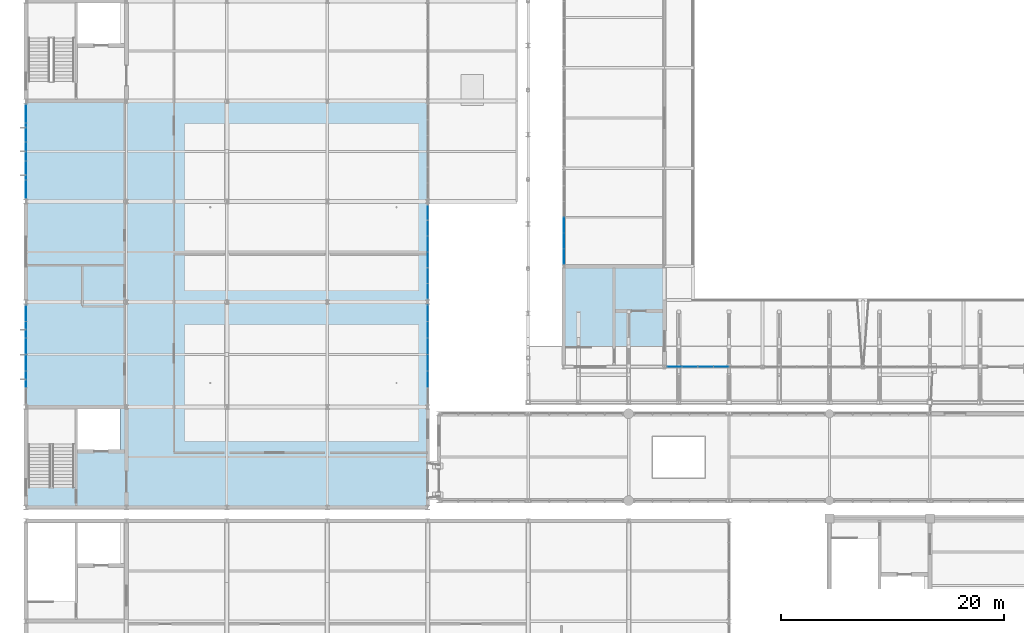
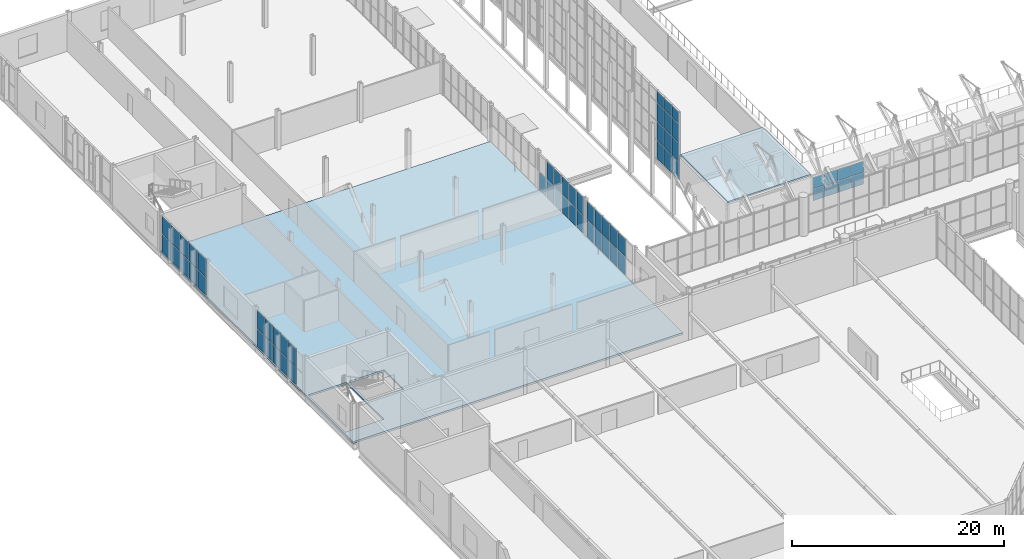
# One storey, part 94 of 134: 61 plates, 2 slabs, 6 elements without a shape of their own.
"""IFC4 building model written with IfcOpenShell, lengths in metres."""

from ifc_helpers import new_model, si_unit, direction, frame, origin, origin_2d, place, context, subcontext, project, spatial, polyline, rectangle, outline, extrude, material, layer, layer_set, type_object, element, aggregate, save


model = new_model("IFC4")

# Units and contexts
model_context = context("Model", 3, precision=1e-05, world=origin(), true_north=direction((0.0, 1.0)))
body_context = subcontext(model_context, "Body", "Model", "MODEL_VIEW")
ifc_project = project(units=[si_unit("LENGTHUNIT", "METRE"), si_unit("AREAUNIT", "SQUARE_METRE"), si_unit("VOLUMEUNIT", "CUBIC_METRE"), si_unit("PLANEANGLEUNIT", "RADIAN"), si_unit("MASSUNIT", "GRAM", prefix="KILO")], contexts=[model_context])

# Site, building, storey
site_placement = place(None, origin())
site = spatial("IfcSite", under=ifc_project, at=site_placement, CompositionType="ELEMENT")
building_placement = place(site_placement, origin())
building = spatial("IfcBuilding", under=site, at=building_placement, Name="Cazmaro Siding Exhibition Halls", CompositionType="ELEMENT")
storey_placement = place(building_placement, frame((0.0, 0.0, 12.0)))
storey = spatial("IfcBuildingStorey", under=building, at=storey_placement, Name="L02", CompositionType="ELEMENT", Elevation=12.0)

# Curtain wall, plates
ifc_material_1 = material(Name="Anodized Bronze Aluminum and Solar-Control Low-E Glazing", Category="aluminium")
ifc_layer_1 = layer(ifc_material_1, 0.179931640625)
ifc_layer_set_1 = layer_set([ifc_layer_1], Name="Anodized Bronze Aluminum and Solar-Control Low-E Glazing")
curtain_wall_type_1 = type_object("IfcCurtainWallType", Name="CWS-01", PredefinedType="USERDEFINED", material=ifc_layer_set_1)
curtain_wall_1_placement = place(storey_placement, origin())
curtain_wall_1 = element("IfcCurtainWall", 1, at=curtain_wall_1_placement, inside=storey, type_object=curtain_wall_type_1, Name="Glazed Curtain Wall CWS-01 CW-237", ObjectType="GLAZED CURTAIN WALL", PredefinedType="USERDEFINED")
ifc_material_2 = material(Name="Solar-Control Low-E Double Insulating Glass", Category="glass")
ifc_layer_2 = layer(ifc_material_2, 0.02392578125)
ifc_layer_set_2 = layer_set([ifc_layer_2], Name="Solar-Control Low-E Double Insulating Glass")
plate_type_1 = type_object("IfcPlateType", Name="CWP-01", PredefinedType="CURTAIN_PANEL", material=ifc_layer_set_2)
plate_1_placement = place(storey_placement, frame((36.0, 66.072509765625, 0.06005859375), z_axis=(0.0, 0.0, 1.0), x_axis=(0.0, 1.0, 0.0)))
plate_1 = element("IfcPlate", 2, at=plate_1_placement, type_object=plate_type_1, Name="CWS-01 panel 2.1", PredefinedType="CURTAIN_PANEL", context=body_context, shape_type="SweptSolid", body=[
    extrude(rectangle(XDim=1.425048828125, YDim=0.02392578125, at=origin_2d()), origin(), (0.0, 0.0, 1.0), 2.050048828125),
])
plate_2_placement = place(storey_placement, frame((36.0, 66.072509765625, 2.169921875), z_axis=(0.0, 0.0, 1.0), x_axis=(0.0, 1.0, 0.0)))
plate_2 = element("IfcPlate", 3, at=plate_2_placement, type_object=plate_type_1, Name="CWS-01 panel 2.2", PredefinedType="CURTAIN_PANEL", context=body_context, shape_type="SweptSolid", body=[
    extrude(rectangle(XDim=1.425048828125, YDim=0.02392578125, at=origin_2d()), origin(), (0.0, 0.0, 1.0), 2.050048828125),
])
plate_3_placement = place(storey_placement, frame((36.0, 67.5576171875, 0.06005859375), z_axis=(0.0, 0.0, 1.0), x_axis=(0.0, 1.0, 0.0)))
plate_3 = element("IfcPlate", 4, at=plate_3_placement, type_object=plate_type_1, Name="CWS-01 panel 3.1", PredefinedType="CURTAIN_PANEL", context=body_context, shape_type="SweptSolid", body=[
    extrude(rectangle(XDim=1.425048828125, YDim=0.02392578125, at=origin_2d()), origin(), (0.0, 0.0, 1.0), 2.050048828125),
])
plate_4_placement = place(storey_placement, frame((36.0, 67.5576171875, 2.169921875), z_axis=(0.0, 0.0, 1.0), x_axis=(0.0, 1.0, 0.0)))
plate_4 = element("IfcPlate", 5, at=plate_4_placement, type_object=plate_type_1, Name="CWS-01 panel 3.2", PredefinedType="CURTAIN_PANEL", context=body_context, shape_type="SweptSolid", body=[
    extrude(rectangle(XDim=1.425048828125, YDim=0.02392578125, at=origin_2d()), origin(), (0.0, 0.0, 1.0), 2.050048828125),
])
plate_5_placement = place(storey_placement, frame((36.0, 69.04248046875, 0.06005859375), z_axis=(0.0, 0.0, 1.0), x_axis=(0.0, 1.0, 0.0)))
plate_5 = element("IfcPlate", 6, at=plate_5_placement, type_object=plate_type_1, Name="CWS-01 panel 4.1", PredefinedType="CURTAIN_PANEL", context=body_context, shape_type="SweptSolid", body=[
    extrude(rectangle(XDim=1.425048828125, YDim=0.02392578125, at=origin_2d()), origin(), (0.0, 0.0, 1.0), 2.050048828125),
])
plate_6_placement = place(storey_placement, frame((36.0, 69.04248046875, 2.169921875), z_axis=(0.0, 0.0, 1.0), x_axis=(0.0, 1.0, 0.0)))
plate_6 = element("IfcPlate", 7, at=plate_6_placement, type_object=plate_type_1, Name="CWS-01 panel 4.2", PredefinedType="CURTAIN_PANEL", context=body_context, shape_type="SweptSolid", body=[
    extrude(rectangle(XDim=1.425048828125, YDim=0.02392578125, at=origin_2d()), origin(), (0.0, 0.0, 1.0), 2.050048828125),
])
plate_7_placement = place(storey_placement, frame((36.0, 70.527587890625, 0.06005859375), z_axis=(0.0, 0.0, 1.0), x_axis=(0.0, 1.0, 0.0)))
plate_7 = element("IfcPlate", 8, at=plate_7_placement, type_object=plate_type_1, Name="CWS-01 panel 5.1", PredefinedType="CURTAIN_PANEL", context=body_context, shape_type="SweptSolid", body=[
    extrude(rectangle(XDim=1.425048828125, YDim=0.02392578125, at=origin_2d()), origin(), (0.0, 0.0, 1.0), 2.050048828125),
])
plate_8_placement = place(storey_placement, frame((36.0, 70.527587890625, 2.169921875), z_axis=(0.0, 0.0, 1.0), x_axis=(0.0, 1.0, 0.0)))
plate_8 = element("IfcPlate", 9, at=plate_8_placement, type_object=plate_type_1, Name="CWS-01 panel 5.2", PredefinedType="CURTAIN_PANEL", context=body_context, shape_type="SweptSolid", body=[
    extrude(rectangle(XDim=1.425048828125, YDim=0.02392578125, at=origin_2d()), origin(), (0.0, 0.0, 1.0), 2.050048828125),
])
plate_9_placement = place(storey_placement, frame((36.0, 71.99755859375, 0.06005859375), z_axis=(0.0, 0.0, 1.0), x_axis=(0.0, 1.0, 0.0)))
plate_9 = element("IfcPlate", 10, at=plate_9_placement, type_object=plate_type_1, Name="CWS-01 panel 6.1", PredefinedType="CURTAIN_PANEL", context=body_context, shape_type="SweptSolid", body=[
    extrude(rectangle(XDim=1.39501953125, YDim=0.02392578125, at=origin_2d()), origin(), (0.0, 0.0, 1.0), 2.050048828125),
])
plate_10_placement = place(storey_placement, frame((36.0, 71.99755859375, 2.169921875), z_axis=(0.0, 0.0, 1.0), x_axis=(0.0, 1.0, 0.0)))
plate_10 = element("IfcPlate", 11, at=plate_10_placement, type_object=plate_type_1, Name="CWS-01 panel 6.2", PredefinedType="CURTAIN_PANEL", context=body_context, shape_type="SweptSolid", body=[
    extrude(rectangle(XDim=1.39501953125, YDim=0.02392578125, at=origin_2d()), origin(), (0.0, 0.0, 1.0), 2.050048828125),
])
aggregate(curtain_wall_1, [plate_1, plate_2, plate_3, plate_4, plate_5, plate_6, plate_7, plate_8, plate_9, plate_10])

curtain_wall_2_placement = place(storey_placement, origin())
curtain_wall_2 = element("IfcCurtainWall", 12, at=curtain_wall_2_placement, inside=storey, type_object=curtain_wall_type_1, Name="Glazed Curtain Wall CWS-01 CW-238", ObjectType="GLAZED CURTAIN WALL", PredefinedType="USERDEFINED")
plate_11_placement = place(storey_placement, frame((36.0, 73.96923828125, 0.06005859375), z_axis=(0.0, 0.0, 1.0), x_axis=(0.0, 1.0, 0.0)))
plate_11 = element("IfcPlate", 13, at=plate_11_placement, type_object=plate_type_1, Name="CWS-01 panel 1.1", PredefinedType="CURTAIN_PANEL", context=body_context, shape_type="SweptSolid", body=[
    extrude(rectangle(XDim=1.328369140625, YDim=0.02392578125, at=origin_2d()), origin(), (0.0, 0.0, 1.0), 2.050048828125),
])
plate_12_placement = place(storey_placement, frame((36.0, 73.96923828125, 2.169921875), z_axis=(0.0, 0.0, 1.0), x_axis=(0.0, 1.0, 0.0)))
plate_12 = element("IfcPlate", 14, at=plate_12_placement, type_object=plate_type_1, Name="CWS-01 panel 1.2", PredefinedType="CURTAIN_PANEL", context=body_context, shape_type="SweptSolid", body=[
    extrude(rectangle(XDim=1.328369140625, YDim=0.02392578125, at=origin_2d()), origin(), (0.0, 0.0, 1.0), 2.050048828125),
])
plate_13_placement = place(storey_placement, frame((36.0, 75.37255859375, 0.06005859375), z_axis=(0.0, 0.0, 1.0), x_axis=(0.0, 1.0, 0.0)))
plate_13 = element("IfcPlate", 15, at=plate_13_placement, type_object=plate_type_1, Name="CWS-01 panel 2.1", PredefinedType="CURTAIN_PANEL", context=body_context, shape_type="SweptSolid", body=[
    extrude(rectangle(XDim=1.3583984375, YDim=0.02392578125, at=origin_2d()), origin(), (0.0, 0.0, 1.0), 2.050048828125),
])
plate_14_placement = place(storey_placement, frame((36.0, 75.37255859375, 2.169921875), z_axis=(0.0, 0.0, 1.0), x_axis=(0.0, 1.0, 0.0)))
plate_14 = element("IfcPlate", 16, at=plate_14_placement, type_object=plate_type_1, Name="CWS-01 panel 2.2", PredefinedType="CURTAIN_PANEL", context=body_context, shape_type="SweptSolid", body=[
    extrude(rectangle(XDim=1.3583984375, YDim=0.02392578125, at=origin_2d()), origin(), (0.0, 0.0, 1.0), 2.050048828125),
])
plate_15_placement = place(storey_placement, frame((36.0, 76.790771484375, 0.06005859375), z_axis=(0.0, 0.0, 1.0), x_axis=(0.0, 1.0, 0.0)))
plate_15 = element("IfcPlate", 17, at=plate_15_placement, type_object=plate_type_1, Name="CWS-01 panel 3.1", PredefinedType="CURTAIN_PANEL", context=body_context, shape_type="SweptSolid", body=[
    extrude(rectangle(XDim=1.3583984375, YDim=0.02392578125, at=origin_2d()), origin(), (0.0, 0.0, 1.0), 2.050048828125),
])
plate_16_placement = place(storey_placement, frame((36.0, 76.790771484375, 2.169921875), z_axis=(0.0, 0.0, 1.0), x_axis=(0.0, 1.0, 0.0)))
plate_16 = element("IfcPlate", 18, at=plate_16_placement, type_object=plate_type_1, Name="CWS-01 panel 3.2", PredefinedType="CURTAIN_PANEL", context=body_context, shape_type="SweptSolid", body=[
    extrude(rectangle(XDim=1.3583984375, YDim=0.02392578125, at=origin_2d()), origin(), (0.0, 0.0, 1.0), 2.050048828125),
])
plate_17_placement = place(storey_placement, frame((36.0, 78.209228515625, 0.06005859375), z_axis=(0.0, 0.0, 1.0), x_axis=(0.0, 1.0, 0.0)))
plate_17 = element("IfcPlate", 19, at=plate_17_placement, type_object=plate_type_1, Name="CWS-01 panel 4.1", PredefinedType="CURTAIN_PANEL", context=body_context, shape_type="SweptSolid", body=[
    extrude(rectangle(XDim=1.3583984375, YDim=0.02392578125, at=origin_2d()), origin(), (0.0, 0.0, 1.0), 2.050048828125),
])
plate_18_placement = place(storey_placement, frame((36.0, 78.209228515625, 2.169921875), z_axis=(0.0, 0.0, 1.0), x_axis=(0.0, 1.0, 0.0)))
plate_18 = element("IfcPlate", 20, at=plate_18_placement, type_object=plate_type_1, Name="CWS-01 panel 4.2", PredefinedType="CURTAIN_PANEL", context=body_context, shape_type="SweptSolid", body=[
    extrude(rectangle(XDim=1.3583984375, YDim=0.02392578125, at=origin_2d()), origin(), (0.0, 0.0, 1.0), 2.050048828125),
])
plate_19_placement = place(storey_placement, frame((36.0, 79.62744140625, 0.06005859375), z_axis=(0.0, 0.0, 1.0), x_axis=(0.0, 1.0, 0.0)))
plate_19 = element("IfcPlate", 21, at=plate_19_placement, type_object=plate_type_1, Name="CWS-01 panel 5.1", PredefinedType="CURTAIN_PANEL", context=body_context, shape_type="SweptSolid", body=[
    extrude(rectangle(XDim=1.3583984375, YDim=0.02392578125, at=origin_2d()), origin(), (0.0, 0.0, 1.0), 2.050048828125),
])
plate_20_placement = place(storey_placement, frame((36.0, 79.62744140625, 2.169921875), z_axis=(0.0, 0.0, 1.0), x_axis=(0.0, 1.0, 0.0)))
plate_20 = element("IfcPlate", 22, at=plate_20_placement, type_object=plate_type_1, Name="CWS-01 panel 5.2", PredefinedType="CURTAIN_PANEL", context=body_context, shape_type="SweptSolid", body=[
    extrude(rectangle(XDim=1.3583984375, YDim=0.02392578125, at=origin_2d()), origin(), (0.0, 0.0, 1.0), 2.050048828125),
])
plate_21_placement = place(storey_placement, frame((36.0, 81.03076171875, 0.06005859375), z_axis=(0.0, 0.0, 1.0), x_axis=(0.0, 1.0, 0.0)))
plate_21 = element("IfcPlate", 23, at=plate_21_placement, type_object=plate_type_1, Name="CWS-01 panel 6.1", PredefinedType="CURTAIN_PANEL", context=body_context, shape_type="SweptSolid", body=[
    extrude(rectangle(XDim=1.328369140625, YDim=0.02392578125, at=origin_2d()), origin(), (0.0, 0.0, 1.0), 2.050048828125),
])
aggregate(curtain_wall_2, [plate_11, plate_12, plate_13, plate_14, plate_15, plate_16, plate_17, plate_18, plate_19, plate_20, plate_21])

ifc_material_3 = material(Name="Anodized Bronze Aluminum and Solar-Control Low-E Glazing", Category="aluminium")
ifc_layer_3 = layer(ifc_material_3, 0.199951171875)
ifc_layer_set_3 = layer_set([ifc_layer_3], Name="Anodized Bronze Aluminum and Solar-Control Low-E Glazing")
curtain_wall_type_2 = type_object("IfcCurtainWallType", Name="CWS-02", PredefinedType="USERDEFINED", material=ifc_layer_set_3)
curtain_wall_3_placement = place(storey_placement, origin())
curtain_wall_3 = element("IfcCurtainWall", 24, at=curtain_wall_3_placement, inside=storey, type_object=curtain_wall_type_2, Name="Glazed Curtain Wall CWS-02 CW-236", ObjectType="GLAZED CURTAIN WALL", PredefinedType="USERDEFINED")
ifc_material_4 = material(Name="Solar-Control Low-E Double Insulating Glass", Category="glass")
ifc_layer_4 = layer(ifc_material_4, 0.035888671875)
ifc_layer_set_4 = layer_set([ifc_layer_4], Name="Solar-Control Low-E Double Insulating Glass")
plate_type_2 = type_object("IfcPlateType", Name="CWP-02", PredefinedType="CURTAIN_PANEL", material=ifc_layer_set_4)
plate_22_placement = place(storey_placement, frame((0.0, 71.996337890625, 0.06494140625), z_axis=(0.0, 0.0, 1.0), x_axis=(0.0, -1.0, 0.0)))
plate_22 = element("IfcPlate", 25, at=plate_22_placement, type_object=plate_type_2, Name="CWS-02 panel 1.1", PredefinedType="CURTAIN_PANEL", context=body_context, shape_type="SweptSolid", body=[
    extrude(rectangle(XDim=1.387451171875, YDim=0.035888671875, at=origin_2d()), origin(), (0.0, 0.0, 1.0), 2.04248046875),
])
plate_23_placement = place(storey_placement, frame((0.0, 71.996337890625, 2.172607421875), z_axis=(0.0, 0.0, 1.0), x_axis=(0.0, -1.0, 0.0)))
plate_23 = element("IfcPlate", 26, at=plate_23_placement, type_object=plate_type_2, Name="CWS-02 panel 1.2", PredefinedType="CURTAIN_PANEL", context=body_context, shape_type="SweptSolid", body=[
    extrude(rectangle(XDim=1.387451171875, YDim=0.035888671875, at=origin_2d()), origin(), (0.0, 0.0, 1.0), 2.04248046875),
])
plate_24_placement = place(storey_placement, frame((0.0, 70.527587890625, 0.06494140625), z_axis=(0.0, 0.0, 1.0), x_axis=(0.0, -1.0, 0.0)))
plate_24 = element("IfcPlate", 27, at=plate_24_placement, type_object=plate_type_2, Name="CWS-02 panel 2.1", PredefinedType="CURTAIN_PANEL", context=body_context, shape_type="SweptSolid", body=[
    extrude(rectangle(XDim=1.419921875, YDim=0.035888671875, at=origin_2d()), origin(), (0.0, 0.0, 1.0), 2.04248046875),
])
plate_25_placement = place(storey_placement, frame((0.0, 70.527587890625, 2.172607421875), z_axis=(0.0, 0.0, 1.0), x_axis=(0.0, -1.0, 0.0)))
plate_25 = element("IfcPlate", 28, at=plate_25_placement, type_object=plate_type_2, Name="CWS-02 panel 2.2", PredefinedType="CURTAIN_PANEL", context=body_context, shape_type="SweptSolid", body=[
    extrude(rectangle(XDim=1.419921875, YDim=0.035888671875, at=origin_2d()), origin(), (0.0, 0.0, 1.0), 2.04248046875),
])
plate_26_placement = place(storey_placement, frame((0.0, 69.04248046875, 0.06494140625), z_axis=(0.0, 0.0, 1.0), x_axis=(0.0, -1.0, 0.0)))
plate_26 = element("IfcPlate", 29, at=plate_26_placement, type_object=plate_type_2, Name="CWS-02 panel 3.1", PredefinedType="CURTAIN_PANEL", context=body_context, shape_type="SweptSolid", body=[
    extrude(rectangle(XDim=1.419921875, YDim=0.035888671875, at=origin_2d()), origin(), (0.0, 0.0, 1.0), 2.04248046875),
])
plate_27_placement = place(storey_placement, frame((0.0, 69.04248046875, 2.172607421875), z_axis=(0.0, 0.0, 1.0), x_axis=(0.0, -1.0, 0.0)))
plate_27 = element("IfcPlate", 30, at=plate_27_placement, type_object=plate_type_2, Name="CWS-02 panel 3.2", PredefinedType="CURTAIN_PANEL", context=body_context, shape_type="SweptSolid", body=[
    extrude(rectangle(XDim=1.419921875, YDim=0.035888671875, at=origin_2d()), origin(), (0.0, 0.0, 1.0), 2.04248046875),
])
plate_28_placement = place(storey_placement, frame((0.0, 67.5576171875, 0.06494140625), z_axis=(0.0, 0.0, 1.0), x_axis=(0.0, -1.0, 0.0)))
plate_28 = element("IfcPlate", 31, at=plate_28_placement, type_object=plate_type_2, Name="CWS-02 panel 4.1", PredefinedType="CURTAIN_PANEL", context=body_context, shape_type="SweptSolid", body=[
    extrude(rectangle(XDim=1.419921875, YDim=0.035888671875, at=origin_2d()), origin(), (0.0, 0.0, 1.0), 2.04248046875),
])
plate_29_placement = place(storey_placement, frame((0.0, 67.5576171875, 2.172607421875), z_axis=(0.0, 0.0, 1.0), x_axis=(0.0, -1.0, 0.0)))
plate_29 = element("IfcPlate", 32, at=plate_29_placement, type_object=plate_type_2, Name="CWS-02 panel 4.2", PredefinedType="CURTAIN_PANEL", context=body_context, shape_type="SweptSolid", body=[
    extrude(rectangle(XDim=1.419921875, YDim=0.035888671875, at=origin_2d()), origin(), (0.0, 0.0, 1.0), 2.04248046875),
])
plate_30_placement = place(storey_placement, frame((0.0, 66.072509765625, 0.06494140625), z_axis=(0.0, 0.0, 1.0), x_axis=(0.0, -1.0, 0.0)))
plate_30 = element("IfcPlate", 33, at=plate_30_placement, type_object=plate_type_2, Name="CWS-02 panel 5.1", PredefinedType="CURTAIN_PANEL", context=body_context, shape_type="SweptSolid", body=[
    extrude(rectangle(XDim=1.419921875, YDim=0.035888671875, at=origin_2d()), origin(), (0.0, 0.0, 1.0), 2.04248046875),
])
plate_31_placement = place(storey_placement, frame((0.0, 66.072509765625, 2.172607421875), z_axis=(0.0, 0.0, 1.0), x_axis=(0.0, -1.0, 0.0)))
plate_31 = element("IfcPlate", 34, at=plate_31_placement, type_object=plate_type_2, Name="CWS-02 panel 5.2", PredefinedType="CURTAIN_PANEL", context=body_context, shape_type="SweptSolid", body=[
    extrude(rectangle(XDim=1.419921875, YDim=0.035888671875, at=origin_2d()), origin(), (0.0, 0.0, 1.0), 2.04248046875),
])
aggregate(curtain_wall_3, [plate_22, plate_23, plate_24, plate_25, plate_26, plate_27, plate_28, plate_29, plate_30, plate_31])

curtain_wall_4_placement = place(storey_placement, origin())
curtain_wall_4 = element("IfcCurtainWall", 35, at=curtain_wall_4_placement, inside=storey, type_object=curtain_wall_type_2, Name="Glazed Curtain Wall CWS-02 CW-239", ObjectType="GLAZED CURTAIN WALL", PredefinedType="USERDEFINED")
plate_32_placement = place(storey_placement, frame((0.0, 89.8876953125, 0.06494140625), z_axis=(0.0, 0.0, 1.0), x_axis=(0.0, -1.0, 0.0)))
plate_32 = element("IfcPlate", 36, at=plate_32_placement, type_object=plate_type_2, Name="CWS-02 panel 1.1", PredefinedType="CURTAIN_PANEL", context=body_context, shape_type="SweptSolid", body=[
    extrude(rectangle(XDim=1.6044921875, YDim=0.035888671875, at=origin_2d()), origin(), (0.0, 0.0, 1.0), 2.04248046875),
])
plate_33_placement = place(storey_placement, frame((0.0, 89.8876953125, 2.172607421875), z_axis=(0.0, 0.0, 1.0), x_axis=(0.0, -1.0, 0.0)))
plate_33 = element("IfcPlate", 37, at=plate_33_placement, type_object=plate_type_2, Name="CWS-02 panel 1.2", PredefinedType="CURTAIN_PANEL", context=body_context, shape_type="SweptSolid", body=[
    extrude(rectangle(XDim=1.6044921875, YDim=0.035888671875, at=origin_2d()), origin(), (0.0, 0.0, 1.0), 2.04248046875),
])
plate_34_placement = place(storey_placement, frame((0.0, 88.201904296875, 0.06494140625), z_axis=(0.0, 0.0, 1.0), x_axis=(0.0, -1.0, 0.0)))
plate_34 = element("IfcPlate", 38, at=plate_34_placement, type_object=plate_type_2, Name="CWS-02 panel 2.1", PredefinedType="CURTAIN_PANEL", context=body_context, shape_type="SweptSolid", body=[
    extrude(rectangle(XDim=1.636962890625, YDim=0.035888671875, at=origin_2d()), origin(), (0.0, 0.0, 1.0), 2.04248046875),
])
plate_35_placement = place(storey_placement, frame((0.0, 88.201904296875, 2.172607421875), z_axis=(0.0, 0.0, 1.0), x_axis=(0.0, -1.0, 0.0)))
plate_35 = element("IfcPlate", 39, at=plate_35_placement, type_object=plate_type_2, Name="CWS-02 panel 2.2", PredefinedType="CURTAIN_PANEL", context=body_context, shape_type="SweptSolid", body=[
    extrude(rectangle(XDim=1.636962890625, YDim=0.035888671875, at=origin_2d()), origin(), (0.0, 0.0, 1.0), 2.04248046875),
])
plate_36_placement = place(storey_placement, frame((0.0, 86.5, 0.06494140625), z_axis=(0.0, 0.0, 1.0), x_axis=(0.0, -1.0, 0.0)))
plate_36 = element("IfcPlate", 40, at=plate_36_placement, type_object=plate_type_2, Name="CWS-02 panel 3.1", PredefinedType="CURTAIN_PANEL", context=body_context, shape_type="SweptSolid", body=[
    extrude(rectangle(XDim=1.636962890625, YDim=0.035888671875, at=origin_2d()), origin(), (0.0, 0.0, 1.0), 2.04248046875),
])
plate_37_placement = place(storey_placement, frame((0.0, 86.5, 2.172607421875), z_axis=(0.0, 0.0, 1.0), x_axis=(0.0, -1.0, 0.0)))
plate_37 = element("IfcPlate", 41, at=plate_37_placement, type_object=plate_type_2, Name="CWS-02 panel 3.2", PredefinedType="CURTAIN_PANEL", context=body_context, shape_type="SweptSolid", body=[
    extrude(rectangle(XDim=1.636962890625, YDim=0.035888671875, at=origin_2d()), origin(), (0.0, 0.0, 1.0), 2.04248046875),
])
plate_38_placement = place(storey_placement, frame((0.0, 84.798095703125, 0.06494140625), z_axis=(0.0, 0.0, 1.0), x_axis=(0.0, -1.0, 0.0)))
plate_38 = element("IfcPlate", 42, at=plate_38_placement, type_object=plate_type_2, Name="CWS-02 panel 4.1", PredefinedType="CURTAIN_PANEL", context=body_context, shape_type="SweptSolid", body=[
    extrude(rectangle(XDim=1.636962890625, YDim=0.035888671875, at=origin_2d()), origin(), (0.0, 0.0, 1.0), 2.04248046875),
])
plate_39_placement = place(storey_placement, frame((0.0, 84.798095703125, 2.172607421875), z_axis=(0.0, 0.0, 1.0), x_axis=(0.0, -1.0, 0.0)))
plate_39 = element("IfcPlate", 43, at=plate_39_placement, type_object=plate_type_2, Name="CWS-02 panel 4.2", PredefinedType="CURTAIN_PANEL", context=body_context, shape_type="SweptSolid", body=[
    extrude(rectangle(XDim=1.636962890625, YDim=0.035888671875, at=origin_2d()), origin(), (0.0, 0.0, 1.0), 2.04248046875),
])
plate_40_placement = place(storey_placement, frame((0.0, 83.1123046875, 0.06494140625), z_axis=(0.0, 0.0, 1.0), x_axis=(0.0, -1.0, 0.0)))
plate_40 = element("IfcPlate", 44, at=plate_40_placement, type_object=plate_type_2, Name="CWS-02 panel 5.1", PredefinedType="CURTAIN_PANEL", context=body_context, shape_type="SweptSolid", body=[
    extrude(rectangle(XDim=1.6044921875, YDim=0.035888671875, at=origin_2d()), origin(), (0.0, 0.0, 1.0), 2.04248046875),
])
plate_41_placement = place(storey_placement, frame((0.0, 83.1123046875, 2.172607421875), z_axis=(0.0, 0.0, 1.0), x_axis=(0.0, -1.0, 0.0)))
plate_41 = element("IfcPlate", 45, at=plate_41_placement, type_object=plate_type_2, Name="CWS-02 panel 5.2", PredefinedType="CURTAIN_PANEL", context=body_context, shape_type="SweptSolid", body=[
    extrude(rectangle(XDim=1.6044921875, YDim=0.035888671875, at=origin_2d()), origin(), (0.0, 0.0, 1.0), 2.04248046875),
])
aggregate(curtain_wall_4, [plate_32, plate_33, plate_34, plate_35, plate_36, plate_37, plate_38, plate_39, plate_40, plate_41])

ifc_material_5 = material(Name="Anodized Bronze Aluminum and Solar-Control Low-E Glazing", Category="aluminium")
ifc_layer_5 = layer(ifc_material_5, 0.219970703125)
ifc_layer_set_5 = layer_set([ifc_layer_5], Name="Anodized Bronze Aluminum and Solar-Control Low-E Glazing")
curtain_wall_type_3 = type_object("IfcCurtainWallType", Name="CWS-03", PredefinedType="USERDEFINED", material=ifc_layer_set_5)
curtain_wall_5_placement = place(storey_placement, origin())
curtain_wall_5 = element("IfcCurtainWall", 46, at=curtain_wall_5_placement, inside=storey, type_object=curtain_wall_type_3, Name="Glazed Curtain Wall CWS-03 CW-052", ObjectType="GLAZED CURTAIN WALL", PredefinedType="USERDEFINED")
ifc_material_6 = material(Name="Solar-Control Low-E Double Insulating Glass", Category="glass")
ifc_layer_6 = layer(ifc_material_6, 0.0458984375)
ifc_layer_set_6 = layer_set([ifc_layer_6], Name="Solar-Control Low-E Double Insulating Glass")
plate_type_3 = type_object("IfcPlateType", Name="CWP-03", PredefinedType="CURTAIN_PANEL", material=ifc_layer_set_6)
plate_42_placement = place(storey_placement, frame((48.199951171875, 79.896240234375, 0.06982421875), z_axis=(0.0, 0.0, 1.0), x_axis=(0.0, -1.0, 0.0)))
plate_42 = element("IfcPlate", 47, at=plate_42_placement, type_object=plate_type_3, Name="CWS-03 panel 4.1", PredefinedType="CURTAIN_PANEL", context=body_context, shape_type="SweptSolid", body=[
    extrude(rectangle(XDim=1.337646484375, YDim=0.0458984375, at=origin_2d()), origin(), (0.0, 0.0, 1.0), 2.094970703125),
])
plate_43_placement = place(storey_placement, frame((48.199951171875, 79.896240234375, 2.235107421875), z_axis=(0.0, 0.0, 1.0), x_axis=(0.0, -1.0, 0.0)))
plate_43 = element("IfcPlate", 48, at=plate_43_placement, type_object=plate_type_3, Name="CWS-03 panel 4.2", PredefinedType="CURTAIN_PANEL", context=body_context, shape_type="SweptSolid", body=[
    extrude(rectangle(XDim=1.337646484375, YDim=0.0458984375, at=origin_2d()), origin(), (0.0, 0.0, 1.0), 2.1298828125),
])
plate_44_placement = place(storey_placement, frame((48.199951171875, 79.896240234375, 4.43505859375), z_axis=(0.0, 0.0, 1.0), x_axis=(0.0, -1.0, 0.0)))
plate_44 = element("IfcPlate", 49, at=plate_44_placement, type_object=plate_type_3, Name="CWS-03 panel 4.3", PredefinedType="CURTAIN_PANEL", context=body_context, shape_type="SweptSolid", body=[
    extrude(rectangle(XDim=1.337646484375, YDim=0.0458984375, at=origin_2d()), origin(), (0.0, 0.0, 1.0), 2.1298828125),
])
plate_45_placement = place(storey_placement, frame((48.199951171875, 79.896240234375, 6.635009765625), z_axis=(0.0, 0.0, 1.0), x_axis=(0.0, -1.0, 0.0)))
plate_45 = element("IfcPlate", 50, at=plate_45_placement, type_object=plate_type_3, Name="CWS-03 panel 4.4", PredefinedType="CURTAIN_PANEL", context=body_context, shape_type="SweptSolid", body=[
    extrude(rectangle(XDim=1.337646484375, YDim=0.0458984375, at=origin_2d()), origin(), (0.0, 0.0, 1.0), 1.26806640625),
])
plate_46_placement = place(storey_placement, frame((48.199951171875, 78.488525390625, 0.06982421875), z_axis=(0.0, 0.0, 1.0), x_axis=(0.0, -1.0, 0.0)))
plate_46 = element("IfcPlate", 51, at=plate_46_placement, type_object=plate_type_3, Name="CWS-03 panel 5.1", PredefinedType="CURTAIN_PANEL", context=body_context, shape_type="SweptSolid", body=[
    extrude(rectangle(XDim=1.337646484375, YDim=0.0458984375, at=origin_2d()), origin(), (0.0, 0.0, 1.0), 2.094970703125),
])
plate_47_placement = place(storey_placement, frame((48.199951171875, 78.488525390625, 2.235107421875), z_axis=(0.0, 0.0, 1.0), x_axis=(0.0, -1.0, 0.0)))
plate_47 = element("IfcPlate", 52, at=plate_47_placement, type_object=plate_type_3, Name="CWS-03 panel 5.2", PredefinedType="CURTAIN_PANEL", context=body_context, shape_type="SweptSolid", body=[
    extrude(rectangle(XDim=1.337646484375, YDim=0.0458984375, at=origin_2d()), origin(), (0.0, 0.0, 1.0), 2.1298828125),
])
plate_48_placement = place(storey_placement, frame((48.199951171875, 78.488525390625, 4.43505859375), z_axis=(0.0, 0.0, 1.0), x_axis=(0.0, -1.0, 0.0)))
plate_48 = element("IfcPlate", 53, at=plate_48_placement, type_object=plate_type_3, Name="CWS-03 panel 5.3", PredefinedType="CURTAIN_PANEL", context=body_context, shape_type="SweptSolid", body=[
    extrude(rectangle(XDim=1.337646484375, YDim=0.0458984375, at=origin_2d()), origin(), (0.0, 0.0, 1.0), 2.1298828125),
])
plate_49_placement = place(storey_placement, frame((48.199951171875, 78.488525390625, 6.635009765625), z_axis=(0.0, 0.0, 1.0), x_axis=(0.0, -1.0, 0.0)))
plate_49 = element("IfcPlate", 54, at=plate_49_placement, type_object=plate_type_3, Name="CWS-03 panel 5.4", PredefinedType="CURTAIN_PANEL", context=body_context, shape_type="SweptSolid", body=[
    extrude(rectangle(XDim=1.337646484375, YDim=0.0458984375, at=origin_2d()), origin(), (0.0, 0.0, 1.0), 1.26806640625),
])
plate_50_placement = place(storey_placement, frame((48.199951171875, 77.098388671875, 0.06982421875), z_axis=(0.0, 0.0, 1.0), x_axis=(0.0, -1.0, 0.0)))
plate_50 = element("IfcPlate", 55, at=plate_50_placement, type_object=plate_type_3, Name="CWS-03 panel 6.1", PredefinedType="CURTAIN_PANEL", context=body_context, shape_type="SweptSolid", body=[
    extrude(rectangle(XDim=1.302734375, YDim=0.0458984375, at=origin_2d()), origin(), (0.0, 0.0, 1.0), 2.094970703125),
])
plate_51_placement = place(storey_placement, frame((48.199951171875, 77.098388671875, 2.235107421875), z_axis=(0.0, 0.0, 1.0), x_axis=(0.0, -1.0, 0.0)))
plate_51 = element("IfcPlate", 56, at=plate_51_placement, type_object=plate_type_3, Name="CWS-03 panel 6.2", PredefinedType="CURTAIN_PANEL", context=body_context, shape_type="SweptSolid", body=[
    extrude(rectangle(XDim=1.302734375, YDim=0.0458984375, at=origin_2d()), origin(), (0.0, 0.0, 1.0), 2.1298828125),
])
plate_52_placement = place(storey_placement, frame((48.199951171875, 77.098388671875, 4.43505859375), z_axis=(0.0, 0.0, 1.0), x_axis=(0.0, -1.0, 0.0)))
plate_52 = element("IfcPlate", 57, at=plate_52_placement, type_object=plate_type_3, Name="CWS-03 panel 6.3", PredefinedType="CURTAIN_PANEL", context=body_context, shape_type="SweptSolid", body=[
    extrude(rectangle(XDim=1.302734375, YDim=0.0458984375, at=origin_2d()), origin(), (0.0, 0.0, 1.0), 2.1298828125),
])
plate_53_placement = place(storey_placement, frame((48.199951171875, 77.098388671875, 6.635009765625), z_axis=(0.0, 0.0, 1.0), x_axis=(0.0, -1.0, 0.0)))
plate_53 = element("IfcPlate", 58, at=plate_53_placement, type_object=plate_type_3, Name="CWS-03 panel 6.4", PredefinedType="CURTAIN_PANEL", context=body_context, shape_type="SweptSolid", body=[
    extrude(rectangle(XDim=1.302734375, YDim=0.0458984375, at=origin_2d()), origin(), (0.0, 0.0, 1.0), 1.26806640625),
])
aggregate(curtain_wall_5, [plate_42, plate_43, plate_44, plate_45, plate_46, plate_47, plate_48, plate_49, plate_50, plate_51, plate_52, plate_53])

ifc_material_7 = material(Name="Anodized Bronze Aluminum and Solar-Control Low-E Glazing", Category="aluminium")
ifc_layer_7 = layer(ifc_material_7, 0.159912109375)
ifc_layer_set_7 = layer_set([ifc_layer_7], Name="Anodized Bronze Aluminum and Solar-Control Low-E Glazing")
curtain_wall_type_4 = type_object("IfcCurtainWallType", Name="CWS-04", PredefinedType="USERDEFINED", material=ifc_layer_set_7)
curtain_wall_6_placement = place(storey_placement, origin())
curtain_wall_6 = element("IfcCurtainWall", 59, at=curtain_wall_6_placement, inside=storey, type_object=curtain_wall_type_4, Name="Clerestory Curtain Wall CWS-04 CW-005", ObjectType="CLERESTORY CURTAIN WALL", PredefinedType="USERDEFINED")
ifc_material_8 = material(Name="Solar-Control Low-E Double Insulating Glass", Category="glass")
ifc_layer_8 = layer(ifc_material_8, 0.028076171875)
ifc_layer_set_8 = layer_set([ifc_layer_8], Name="Solar-Control Low-E Double Insulating Glass")
plate_type_4 = type_object("IfcPlateType", Name="CWP-04", PredefinedType="CURTAIN_PANEL", material=ifc_layer_set_8)
plate_54_placement = place(storey_placement, frame((58.112548828125, 67.199951171875, 0.06005859375), z_axis=(0.0, 0.0, 1.0), x_axis=(1.0, 0.0, 0.0)))
plate_54 = element("IfcPlate", 60, at=plate_54_placement, type_object=plate_type_4, Name="CWS-04 panel 1.1", PredefinedType="CURTAIN_PANEL", context=body_context, shape_type="SweptSolid", body=[
    extrude(rectangle(XDim=1.31103515625, YDim=0.028076171875, at=origin_2d()), origin(), (0.0, 0.0, 1.0), 1.31005859375),
])
plate_55_placement = place(storey_placement, frame((58.112548828125, 67.199951171875, 1.429931640625), z_axis=(0.0, 0.0, 1.0), x_axis=(1.0, 0.0, 0.0)))
plate_55 = element("IfcPlate", 61, at=plate_55_placement, type_object=plate_type_4, Name="CWS-04 panel 1.2", PredefinedType="CURTAIN_PANEL", context=body_context, shape_type="SweptSolid", body=[
    extrude(rectangle(XDim=1.31103515625, YDim=0.028076171875, at=origin_2d()), origin(), (0.0, 0.0, 1.0), 1.31005859375),
])
plate_56_placement = place(storey_placement, frame((59.49853515625, 67.199951171875, 0.06005859375), z_axis=(0.0, 0.0, 1.0), x_axis=(1.0, 0.0, 0.0)))
plate_56 = element("IfcPlate", 62, at=plate_56_placement, type_object=plate_type_4, Name="CWS-04 panel 2.1", PredefinedType="CURTAIN_PANEL", context=body_context, shape_type="SweptSolid", body=[
    extrude(rectangle(XDim=1.341064453125, YDim=0.028076171875, at=origin_2d()), origin(), (0.0, 0.0, 1.0), 1.31005859375),
])
plate_57_placement = place(storey_placement, frame((59.49853515625, 67.199951171875, 1.429931640625), z_axis=(0.0, 0.0, 1.0), x_axis=(1.0, 0.0, 0.0)))
plate_57 = element("IfcPlate", 63, at=plate_57_placement, type_object=plate_type_4, Name="CWS-04 panel 2.2", PredefinedType="CURTAIN_PANEL", context=body_context, shape_type="SweptSolid", body=[
    extrude(rectangle(XDim=1.341064453125, YDim=0.028076171875, at=origin_2d()), origin(), (0.0, 0.0, 1.0), 1.31005859375),
])
plate_58_placement = place(storey_placement, frame((60.8994140625, 67.199951171875, 0.06005859375), z_axis=(0.0, 0.0, 1.0), x_axis=(1.0, 0.0, 0.0)))
plate_58 = element("IfcPlate", 64, at=plate_58_placement, type_object=plate_type_4, Name="CWS-04 panel 3.1", PredefinedType="CURTAIN_PANEL", context=body_context, shape_type="SweptSolid", body=[
    extrude(rectangle(XDim=1.341064453125, YDim=0.028076171875, at=origin_2d()), origin(), (0.0, 0.0, 1.0), 1.31005859375),
])
plate_59_placement = place(storey_placement, frame((60.8994140625, 67.199951171875, 1.429931640625), z_axis=(0.0, 0.0, 1.0), x_axis=(1.0, 0.0, 0.0)))
plate_59 = element("IfcPlate", 65, at=plate_59_placement, type_object=plate_type_4, Name="CWS-04 panel 3.2", PredefinedType="CURTAIN_PANEL", context=body_context, shape_type="SweptSolid", body=[
    extrude(rectangle(XDim=1.341064453125, YDim=0.028076171875, at=origin_2d()), origin(), (0.0, 0.0, 1.0), 1.31005859375),
])
plate_60_placement = place(storey_placement, frame((62.300537109375, 67.199951171875, 0.06005859375), z_axis=(0.0, 0.0, 1.0), x_axis=(1.0, 0.0, 0.0)))
plate_60 = element("IfcPlate", 66, at=plate_60_placement, type_object=plate_type_4, Name="CWS-04 panel 4.1", PredefinedType="CURTAIN_PANEL", context=body_context, shape_type="SweptSolid", body=[
    extrude(rectangle(XDim=1.341064453125, YDim=0.028076171875, at=origin_2d()), origin(), (0.0, 0.0, 1.0), 1.31005859375),
])
plate_61_placement = place(storey_placement, frame((62.300537109375, 67.199951171875, 1.429931640625), z_axis=(0.0, 0.0, 1.0), x_axis=(1.0, 0.0, 0.0)))
plate_61 = element("IfcPlate", 67, at=plate_61_placement, type_object=plate_type_4, Name="CWS-04 panel 4.2", PredefinedType="CURTAIN_PANEL", context=body_context, shape_type="SweptSolid", body=[
    extrude(rectangle(XDim=1.341064453125, YDim=0.028076171875, at=origin_2d()), origin(), (0.0, 0.0, 1.0), 1.31005859375),
])
aggregate(curtain_wall_6, [plate_54, plate_55, plate_56, plate_57, plate_58, plate_59, plate_60, plate_61])

# Slabs
ifc_material_9 = material(Name="Concrete f'c 35 MPa", Category="concrete")
ifc_layer_9 = layer(ifc_material_9, 0.219970703125)
ifc_layer_set_9 = layer_set([ifc_layer_9], Name="Concrete f'c 35 MPa")
slab_type_1 = type_object("IfcSlabType", Name="FS-01", PredefinedType="FLOOR", material=ifc_layer_set_9)
slab_1_placement = place(storey_placement, frame((0.0, 0.0, -0.219970703125)))
element("IfcSlab", 68, at=slab_1_placement, inside=storey, type_object=slab_type_1, Name="West Wing South L02 FS-01 SLB-0036", PredefinedType="FLOOR", context=body_context, shape_type="SweptSolid", body=[
    extrude(outline(polyline([(0.0, 54.60009765625), (36.0, 54.60009765625), (36.0, 91.0), (0.0, 91.0), (0.0, 54.60009765625)]), holes=[polyline([(0.179931640625, 56.3798828125), (4.375, 56.3798828125), (4.375, 63.419921875), (0.179931640625, 63.419921875), (0.179931640625, 56.3798828125)]), polyline([(4.625, 59.719970703125), (8.47998046875, 59.719970703125), (8.47998046875, 63.419921875), (4.625, 63.419921875), (4.625, 59.719970703125)])]), origin(), (0.0, 0.0, 1.0), 0.219970703125),
])
ifc_material_10 = material(Name="Concrete f'c 35 MPa", Category="concrete")
ifc_layer_10 = layer(ifc_material_10, 0.2099609375)
ifc_layer_set_10 = layer_set([ifc_layer_10], Name="Concrete f'c 35 MPa")
slab_type_2 = type_object("IfcSlabType", Name="RS-03", PredefinedType="ROOF", material=ifc_layer_set_10)
slab_2_placement = place(storey_placement, frame((0.0, 0.0, 3.0)))
element("IfcSlab", 69, at=slab_2_placement, inside=storey, type_object=slab_type_2, Name="Core C1 Shaft Cap Slab RS-03 SLB-0027", PredefinedType="ROOF", context=body_context, shape_type="SweptSolid", body=[
    extrude(outline(polyline([(48.199951171875, 67.199951171875), (57.199951171875, 67.199951171875), (57.199951171875, 76.199951171875), (48.199951171875, 76.199951171875), (48.199951171875, 67.199951171875)])), origin(), (0.0, 0.0, 1.0), 0.2099609375),
])

save(model, "model.ifc")
